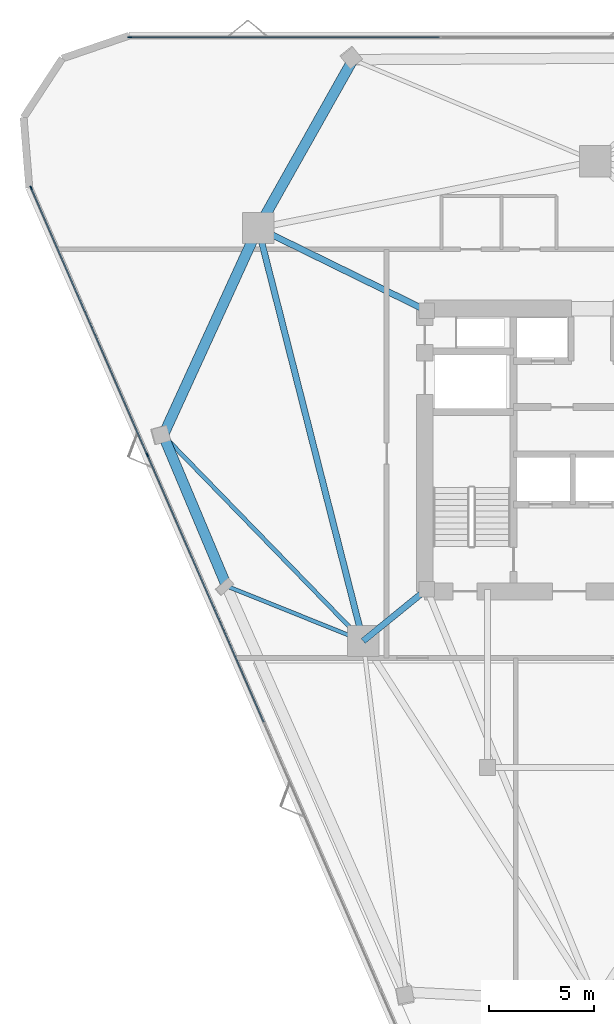
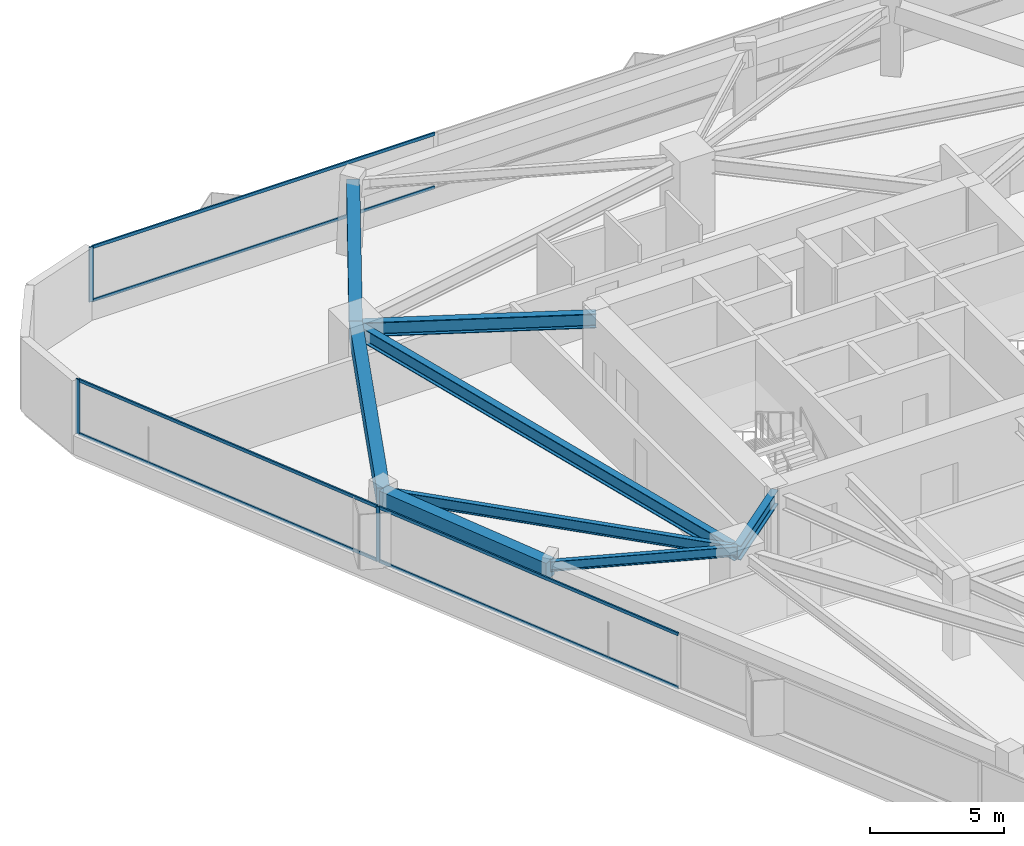
# One storey, part 5 of 13: 9 members, 8 beams, 2 elements without a shape of their own.
"""IFC4 building model written with IfcOpenShell, lengths in metres."""

from ifc_helpers import new_model, si_unit, direction, frame, origin, origin_2d, place, context, subcontext, project, spatial, rectangle, i_section, extrude, material, layer, layer_set, material_profile, profile_set, type_object, element, aggregate, save


model = new_model("IFC4")

# Units and contexts
model_context = context("Model", 3, precision=1e-05, world=origin(), true_north=direction((0.0, 1.0)))
body_context = subcontext(model_context, "Body", "Model", "MODEL_VIEW")
ifc_project = project(units=[si_unit("LENGTHUNIT", "METRE"), si_unit("AREAUNIT", "SQUARE_METRE"), si_unit("VOLUMEUNIT", "CUBIC_METRE"), si_unit("PLANEANGLEUNIT", "RADIAN"), si_unit("MASSUNIT", "GRAM", prefix="KILO")], contexts=[model_context])

# Site, building, storey
site_placement = place(None, origin())
site = spatial("IfcSite", under=ifc_project, at=site_placement, CompositionType="ELEMENT")
building_placement = place(site_placement, origin())
building = spatial("IfcBuilding", under=site, at=building_placement, Name="Talyreon Biosciences Tower", CompositionType="ELEMENT")
storey_placement = place(building_placement, frame((0.0, 0.0, 167.35009765625)))
storey = spatial("IfcBuildingStorey", under=building, at=storey_placement, Name="L44", CompositionType="ELEMENT", Elevation=167.35009765625)

# Curtain wall, members
ifc_material_1 = material(Name="Thermally broken aluminium and low-E glazing", Category="aluminium")
ifc_layer = layer(ifc_material_1, 0.18505859375)
ifc_layer_set = layer_set([ifc_layer], Name="Thermally broken aluminium and low-E glazing")
curtain_wall_type = type_object("IfcCurtainWallType", Name="CurtainWall_Zone3Bioprocess", PredefinedType="NOTDEFINED", material=ifc_layer_set)
curtain_wall_1_placement = place(storey_placement, origin())
curtain_wall_1 = element("IfcCurtainWall", 1, at=curtain_wall_1_placement, inside=storey, type_object=curtain_wall_type, Name="L44 Unitised Curtain Wall FCW-L44-00", PredefinedType="NOTDEFINED")
ifc_material_2 = material(Name="Anodised thermally broken aluminium", Category="aluminium")
ifc_material_profile_1 = material_profile(ifc_material_2, rectangle(XDim=0.06494140625, YDim=0.179931640625, at=origin_2d()), Name="ALUM MULLION 65x180")
ifc_profile_set_1 = profile_set([ifc_material_profile_1], Name="Anodised thermally broken aluminium")
member_type_1 = type_object("IfcMemberType", Name="CWMullion_65x180", PredefinedType="MULLION", material=ifc_profile_set_1)
member_1_placement = place(storey_placement, frame((44.609619140625, 67.762939453125, 0.809814453125), z_axis=(0.0, 0.0, 1.0), x_axis=(-0.916820215501, -0.399300253505, 0.0)))
member_1 = element("IfcMember", 2, at=member_1_placement, type_object=member_type_1, Name="CW4 mullion 4", PredefinedType="MULLION", context=body_context, shape_type="SweptSolid", body=[
    extrude(rectangle(XDim=0.06494140625, YDim=0.179931640625, at=origin_2d()), origin(), (0.0, 0.0, 1.0), 2.489990234375),
])
member_2_placement = place(storey_placement, frame((39.057373046875, 80.511474609375, 0.809814453125), z_axis=(0.0, 0.0, 1.0), x_axis=(-0.916820215501, -0.399300253505, 0.0)))
member_2 = element("IfcMember", 3, at=member_2_placement, type_object=member_type_1, Name="CW4 mullion 5", PredefinedType="MULLION", context=body_context, shape_type="SweptSolid", body=[
    extrude(rectangle(XDim=0.06494140625, YDim=0.179931640625, at=origin_2d()), origin(), (0.0, 0.0, 1.0), 2.489990234375),
])

# Curtain wall, member
curtain_wall_2_placement = place(storey_placement, origin())
curtain_wall_2 = element("IfcCurtainWall", 4, at=curtain_wall_2_placement, inside=storey, type_object=curtain_wall_type, Name="L44 Unitised Curtain Wall FCW-L44-04", PredefinedType="NOTDEFINED")
member_3_placement = place(storey_placement, frame((43.77099609375, 87.705810546875, 0.809814453125), z_axis=(0.0, 0.0, 1.0), x_axis=(0.0, 1.0, 0.0)))
member_3 = element("IfcMember", 5, at=member_3_placement, type_object=member_type_1, Name="CW4 mullion 1", PredefinedType="MULLION", context=body_context, shape_type="SweptSolid", body=[
    extrude(rectangle(XDim=0.06494140625, YDim=0.179931640625, at=origin_2d()), origin(), (0.0, 0.0, 1.0), 2.489990234375),
])

# Member
ifc_material_profile_2 = material_profile(ifc_material_2, rectangle(XDim=0.06494140625, YDim=0.139892578125, at=origin_2d()), Name="ALUM TRANSOM 65x140")
ifc_profile_set_2 = profile_set([ifc_material_profile_2], Name="Anodised thermally broken aluminium")
member_type_2 = type_object("IfcMemberType", Name="CWTransom_65x140", PredefinedType="USERDEFINED", material=ifc_profile_set_2)
member_4_placement = place(storey_placement, frame((50.162109375, 55.01416015625, 0.84228515625), z_axis=(-0.399311623344, 0.916815263541, 0.0), x_axis=(-0.916815263541, -0.399311623344, 0.0)))
member_4 = element("IfcMember", 6, at=member_4_placement, type_object=member_type_2, Name="CW4 transom 3.1", ObjectType="TRANSOM", PredefinedType="USERDEFINED", context=body_context, shape_type="SweptSolid", body=[
    extrude(rectangle(XDim=0.06494140625, YDim=0.139892578125, at=origin_2d()), origin(), (0.0, 0.0, 1.0), 13.872802734375),
])

member_5_placement = place(storey_placement, frame((50.162109375, 55.01416015625, 3.267333984375), z_axis=(-0.399311623344, 0.916815263541, 0.0), x_axis=(-0.916815263541, -0.399311623344, 0.0)))
member_5 = element("IfcMember", 7, at=member_5_placement, type_object=member_type_2, Name="CW4 transom 3.2", ObjectType="TRANSOM", PredefinedType="USERDEFINED", context=body_context, shape_type="SweptSolid", body=[
    extrude(rectangle(XDim=0.06494140625, YDim=0.139892578125, at=origin_2d()), origin(), (0.0, 0.0, 1.0), 13.872802734375),
])

member_6_placement = place(storey_placement, frame((44.5966796875, 67.792724609375, 0.84228515625), z_axis=(-0.399298814497, 0.916820842227, 0.0), x_axis=(-0.916820842227, -0.399298814497, 0.0)))
member_6 = element("IfcMember", 8, at=member_6_placement, type_object=member_type_2, Name="CW4 transom 4.1", ObjectType="TRANSOM", PredefinedType="USERDEFINED", context=body_context, shape_type="SweptSolid", body=[
    extrude(rectangle(XDim=0.06494140625, YDim=0.139892578125, at=origin_2d()), origin(), (0.0, 0.0, 1.0), 13.840087890625),
])

member_7_placement = place(storey_placement, frame((44.5966796875, 67.792724609375, 3.267333984375), z_axis=(-0.399298814497, 0.916820842227, 0.0), x_axis=(-0.916820842227, -0.399298814497, 0.0)))
member_7 = element("IfcMember", 9, at=member_7_placement, type_object=member_type_2, Name="CW4 transom 4.2", ObjectType="TRANSOM", PredefinedType="USERDEFINED", context=body_context, shape_type="SweptSolid", body=[
    extrude(rectangle(XDim=0.06494140625, YDim=0.139892578125, at=origin_2d()), origin(), (0.0, 0.0, 1.0), 13.840087890625),
])

aggregate(curtain_wall_1, [member_1, member_2, member_4, member_5, member_6, member_7])

member_8_placement = place(storey_placement, frame((43.803466796875, 87.705810546875, 0.84228515625), z_axis=(1.0, 0.0, 0.0), x_axis=(0.0, 1.0, 0.0)))
member_8 = element("IfcMember", 10, at=member_8_placement, type_object=member_type_2, Name="CW4 transom 1.1", ObjectType="TRANSOM", PredefinedType="USERDEFINED", context=body_context, shape_type="SweptSolid", body=[
    extrude(rectangle(XDim=0.06494140625, YDim=0.139892578125, at=origin_2d()), origin(), (0.0, 0.0, 1.0), 14.74365234375),
])

member_9_placement = place(storey_placement, frame((43.803466796875, 87.705810546875, 3.267333984375), z_axis=(1.0, 0.0, 0.0), x_axis=(0.0, 1.0, 0.0)))
member_9 = element("IfcMember", 11, at=member_9_placement, type_object=member_type_2, Name="CW4 transom 1.2", ObjectType="TRANSOM", PredefinedType="USERDEFINED", context=body_context, shape_type="SweptSolid", body=[
    extrude(rectangle(XDim=0.06494140625, YDim=0.139892578125, at=origin_2d()), origin(), (0.0, 0.0, 1.0), 14.74365234375),
])

aggregate(curtain_wall_2, [member_3, member_8, member_9])

# Beams
ifc_material_3 = material(Name="Precast concrete C45/55", Category="concrete")
ifc_material_profile_3 = material_profile(ifc_material_3, rectangle(XDim=0.5, YDim=0.780029296875, at=origin_2d()), Name="RCB 500x780")
ifc_profile_set_3 = profile_set([ifc_material_profile_3], Name="Precast concrete C45/55")
beam_type_1 = type_object("IfcBeamType", Name="ExpressedSpandrel_500x780", PredefinedType="SPANDREL", material=ifc_profile_set_3)
beam_1_placement = place(storey_placement, frame((54.424072265625, 86.6357421875, 2.909912109375), z_axis=(-0.490713561422, -0.871320951565, 0.0), x_axis=(0.871320951565, -0.490713561422, 0.0)))
element("IfcBeam", 12, at=beam_1_placement, inside=storey, type_object=beam_type_1, Name="L44 Expressed Horizontal Concrete Spandrel 08", PredefinedType="SPANDREL", context=body_context, shape_type="SweptSolid", body=[
    extrude(rectangle(XDim=0.5, YDim=0.780029296875, at=origin_2d()), origin(), (0.0, 0.0, 1.0), 9.22412109375),
])
beam_2_placement = place(storey_placement, frame((49.897705078125, 78.5986328125, 2.909912109375), z_axis=(-0.41613872749, -0.909301137953, 0.0), x_axis=(0.909301137953, -0.41613872749, 0.0)))
element("IfcBeam", 13, at=beam_2_placement, inside=storey, type_object=beam_type_1, Name="L44 Expressed Horizontal Concrete Spandrel 09", PredefinedType="SPANDREL", context=body_context, shape_type="SweptSolid", body=[
    extrude(rectangle(XDim=0.5, YDim=0.780029296875, at=origin_2d()), origin(), (0.0, 0.0, 1.0), 10.884765625),
])
beam_3_placement = place(storey_placement, frame((45.3681640625, 68.701171875, 2.909912109375), z_axis=(0.387522796264, -0.92186012083, 0.0), x_axis=(0.92186012083, 0.387522796264, 0.0)))
element("IfcBeam", 14, at=beam_3_placement, inside=storey, type_object=beam_type_1, Name="L44 Expressed Horizontal Concrete Spandrel 10", PredefinedType="SPANDREL", context=body_context, shape_type="SweptSolid", body=[
    extrude(rectangle(XDim=0.5, YDim=0.780029296875, at=origin_2d()), origin(), (0.0, 0.0, 1.0), 7.8056640625),
])
ifc_material_4 = material(Name="Steel SM355", Category="steel")
ifc_material_profile_4 = material_profile(ifc_material_4, i_section(OverallWidth=0.300048828125, OverallDepth=0.64990234375, WebThickness=0.01611328125, FlangeThickness=0.031005859375, FilletRadius=0.027099609375, at=origin_2d()), Name="HE650B")
ifc_profile_set_4 = profile_set([ifc_material_profile_4], Name="Steel SM355")
beam_type_2 = type_object("IfcBeamType", Name="SteelBeam_HE650B", PredefinedType="BEAM", material=ifc_profile_set_4)
beam_4_placement = place(storey_placement, frame((49.897705078125, 78.5986328125, 2.974853515625), z_axis=(0.246537082299, -0.969133358755, 0.0), x_axis=(0.969133358755, 0.246537082299, 0.0)))
element("IfcBeam", 15, at=beam_4_placement, inside=storey, type_object=beam_type_2, Name="L44 Mega-Ring Girder 5", PredefinedType="BEAM", context=body_context, shape_type="SweptSolid", body=[
    extrude(i_section(OverallWidth=0.300048828125, OverallDepth=0.64990234375, WebThickness=0.01611328125, FlangeThickness=0.031005859375, FilletRadius=0.027099609375, at=origin_2d()), origin(), (0.0, 0.0, 1.0), 20.34619140625),
])
beam_5_placement = place(storey_placement, frame((57.949951171875, 74.64990234375, 2.974853515625), z_axis=(-0.897852360314, 0.440296648952, 0.0), x_axis=(-0.440296648952, -0.897852360314, 0.0)))
element("IfcBeam", 16, at=beam_5_placement, inside=storey, type_object=beam_type_2, Name="L44 Radial Primary Girder 5", PredefinedType="BEAM", context=body_context, shape_type="SweptSolid", body=[
    extrude(i_section(OverallWidth=0.300048828125, OverallDepth=0.64990234375, WebThickness=0.01611328125, FlangeThickness=0.031005859375, FilletRadius=0.027099609375, at=origin_2d()), origin(), (0.0, 0.0, 1.0), 8.96826171875),
])
beam_6_placement = place(storey_placement, frame((57.949951171875, 61.35009765625, 2.974853515625), z_axis=(-0.775755154013, -0.631034025249, 0.0), x_axis=(0.631034025249, -0.775755154013, 0.0)))
element("IfcBeam", 17, at=beam_6_placement, inside=storey, type_object=beam_type_2, Name="L44 Radial Primary Girder 6", PredefinedType="BEAM", context=body_context, shape_type="SweptSolid", body=[
    extrude(i_section(OverallWidth=0.300048828125, OverallDepth=0.64990234375, WebThickness=0.01611328125, FlangeThickness=0.031005859375, FilletRadius=0.027099609375, at=origin_2d()), origin(), (0.0, 0.0, 1.0), 3.913818359375),
])
ifc_material_profile_5 = material_profile(ifc_material_4, i_section(OverallWidth=0.18994140625, OverallDepth=0.449951171875, WebThickness=0.009521484375, FlangeThickness=0.0146484375, FilletRadius=0.02099609375, at=origin_2d()), Name="IPE450")
ifc_profile_set_5 = profile_set([ifc_material_profile_5], Name="Steel SM355")
beam_type_3 = type_object("IfcBeamType", Name="SteelJoist_IPE450", PredefinedType="JOIST", material=ifc_profile_set_5)
beam_7_placement = place(storey_placement, frame((54.913818359375, 58.88037109375, 3.074951171875), z_axis=(-0.927655237618, 0.373437759365, 0.0), x_axis=(-0.373437759365, -0.927655237618, 0.0)))
element("IfcBeam", 18, at=beam_7_placement, inside=storey, type_object=beam_type_3, Name="L44 Radial Composite Floor Joist PL-SW", PredefinedType="JOIST", context=body_context, shape_type="SweptSolid", body=[
    extrude(i_section(OverallWidth=0.18994140625, OverallDepth=0.449951171875, WebThickness=0.009521484375, FlangeThickness=0.0146484375, FilletRadius=0.02099609375, at=origin_2d()), origin(), (0.0, 0.0, 1.0), 7.029296875),
])
ifc_material_profile_6 = material_profile(ifc_material_4, i_section(OverallWidth=0.199951171875, OverallDepth=0.5, WebThickness=0.01025390625, FlangeThickness=0.01611328125, FilletRadius=0.02099609375, at=origin_2d()), Name="IPE500")
ifc_profile_set_6 = profile_set([ifc_material_profile_6], Name="Steel SM355")
beam_type_4 = type_object("IfcBeamType", Name="SteelJoist_IPE500", PredefinedType="JOIST", material=ifc_profile_set_6)
beam_8_placement = place(storey_placement, frame((54.913818359375, 58.88037109375, 3.0498046875), z_axis=(-0.696990310154, 0.717080544675, 0.0), x_axis=(-0.717080544675, -0.696990310154, 0.0)))
element("IfcBeam", 19, at=beam_8_placement, inside=storey, type_object=beam_type_4, Name="L44 Radial Composite Floor Joist PC-SW1", PredefinedType="JOIST", context=body_context, shape_type="SweptSolid", body=[
    extrude(i_section(OverallWidth=0.199951171875, OverallDepth=0.5, WebThickness=0.01025390625, FlangeThickness=0.01611328125, FilletRadius=0.02099609375, at=origin_2d()), origin(), (0.0, 0.0, 1.0), 13.695556640625),
])

save(model, "model.ifc")
